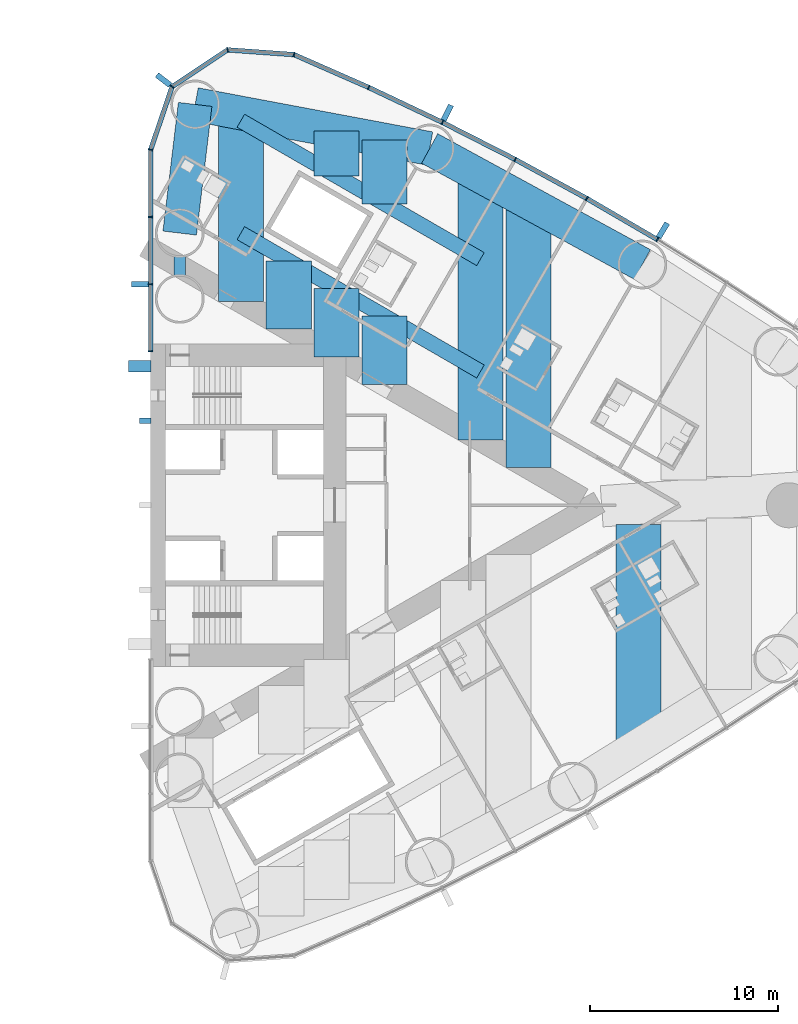
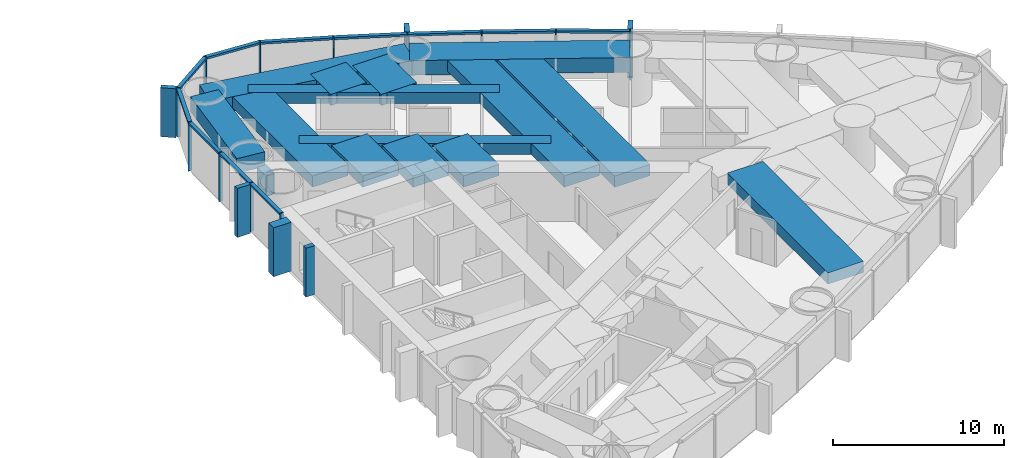
# One storey, part 7 of 18: 29 members, 15 beams, 1 element without a shape of its own.
"""IFC4 building model written with IfcOpenShell, lengths in metres."""

from ifc_helpers import new_model, si_unit, direction, frame, origin, origin_2d, place, context, subcontext, project, spatial, rectangle, hollow_rectangle, extrude, material, material_profile, profile_set, type_object, element, aggregate, save


model = new_model("IFC4")

# Units and contexts
model_context = context("Model", 3, precision=1e-05, world=origin(), true_north=direction((0.0, 1.0)))
body_context = subcontext(model_context, "Body", "Model", "MODEL_VIEW")
ifc_project = project(units=[si_unit("LENGTHUNIT", "METRE"), si_unit("AREAUNIT", "SQUARE_METRE"), si_unit("VOLUMEUNIT", "CUBIC_METRE"), si_unit("PLANEANGLEUNIT", "RADIAN"), si_unit("MASSUNIT", "GRAM", prefix="KILO")], contexts=[model_context])

# Site, building, storey
site_placement = place(None, origin())
site = spatial("IfcSite", under=ifc_project, at=site_placement, CompositionType="ELEMENT")
building_placement = place(site_placement, origin())
building = spatial("IfcBuilding", under=site, at=building_placement, Name="Lancet Gate Hotel", CompositionType="ELEMENT")
storey_placement = place(building_placement, frame((0.0, 0.0, 118.60009765625)))
storey = spatial("IfcBuildingStorey", under=building, at=storey_placement, Name="L31", CompositionType="ELEMENT", Elevation=118.60009765625)

# Curtain wall, members
ifc_material_1 = material(Name="Aluminium curtain wall", Category="aluminium")
curtain_wall_type = type_object("IfcCurtainWallType", Name="Tower unitised curtain wall", PredefinedType="USERDEFINED", material=ifc_material_1)
curtain_wall_placement = place(storey_placement, origin())
curtain_wall = element("IfcCurtainWall", 1, at=curtain_wall_placement, inside=storey, type_object=curtain_wall_type, Name="T2 L31 curtain wall 1", ObjectType="UNITISED CURTAIN WALL", PredefinedType="USERDEFINED")
ifc_material_2 = material(Name="Aluminium mullion", Category="aluminium")
ifc_material_profile_1 = material_profile(ifc_material_2, rectangle(XDim=0.06494140625, YDim=0.25, at=origin_2d()), Name="MULLION 65x250")
ifc_profile_set_1 = profile_set([ifc_material_profile_1], Name="Aluminium mullion")
member_type_1 = type_object("IfcMemberType", Name="Aluminium mullion 65x250", PredefinedType="MULLION", material=ifc_profile_set_1)
member_1_placement = place(storey_placement, frame((54.496337890625, 14.1552734375, 0.0), z_axis=(0.0, 0.0, 1.0), x_axis=(-0.856728030701, 0.515768437781, 0.0)))
member_1 = element("IfcMember", 2, at=member_1_placement, type_object=member_type_1, Name="T2 L31 curtain wall 1 mullion 23", PredefinedType="MULLION", context=body_context, shape_type="SweptSolid", body=[
    extrude(rectangle(XDim=0.06494140625, YDim=0.25, at=origin_2d()), origin(), (0.0, 0.0, 1.0), 3.5),
])
member_2_placement = place(storey_placement, frame((50.740478515625, 16.344482421875, 0.0), z_axis=(0.0, 0.0, 1.0), x_axis=(-0.871028838445, 0.491231882716, 0.0)))
member_2 = element("IfcMember", 3, at=member_2_placement, type_object=member_type_1, Name="T2 L31 curtain wall 1 mullion 24", PredefinedType="MULLION", context=body_context, shape_type="SweptSolid", body=[
    extrude(rectangle(XDim=0.06494140625, YDim=0.25, at=origin_2d()), origin(), (0.0, 0.0, 1.0), 3.5),
])
member_3_placement = place(storey_placement, frame((46.923828125, 18.426025390625, 0.0), z_axis=(0.0, 0.0, 1.0), x_axis=(-0.884627112962, 0.466299121822, 0.0)))
member_3 = element("IfcMember", 4, at=member_3_placement, type_object=member_type_1, Name="T2 L31 curtain wall 1 mullion 25", PredefinedType="MULLION", context=body_context, shape_type="SweptSolid", body=[
    extrude(rectangle(XDim=0.06494140625, YDim=0.25, at=origin_2d()), origin(), (0.0, 0.0, 1.0), 3.5),
])
member_4_placement = place(storey_placement, frame((43.0498046875, 20.398193359375, 0.0), z_axis=(0.0, 0.0, 1.0), x_axis=(-0.897511886496, 0.440990264743, 0.0)))
member_4 = element("IfcMember", 5, at=member_4_placement, type_object=member_type_1, Name="T2 L31 curtain wall 1 mullion 26", PredefinedType="MULLION", context=body_context, shape_type="SweptSolid", body=[
    extrude(rectangle(XDim=0.06494140625, YDim=0.25, at=origin_2d()), origin(), (0.0, 0.0, 1.0), 3.5),
])
member_5_placement = place(storey_placement, frame((39.12109375, 22.259765625, 0.0), z_axis=(0.0, 0.0, 1.0), x_axis=(-0.909672766767, 0.415325724465, 0.0)))
member_5 = element("IfcMember", 6, at=member_5_placement, type_object=member_type_1, Name="T2 L31 curtain wall 1 mullion 27", PredefinedType="MULLION", context=body_context, shape_type="SweptSolid", body=[
    extrude(rectangle(XDim=0.06494140625, YDim=0.25, at=origin_2d()), origin(), (0.0, 0.0, 1.0), 3.5),
])
member_6_placement = place(storey_placement, frame((35.141357421875, 24.009033203125, 0.0), z_axis=(0.0, 0.0, 1.0), x_axis=(-0.966317378791, 0.257353304711, 0.0)))
member_6 = element("IfcMember", 7, at=member_6_placement, type_object=member_type_1, Name="T2 L31 curtain wall 1 mullion 28", PredefinedType="MULLION", context=body_context, shape_type="SweptSolid", body=[
    extrude(rectangle(XDim=0.06494140625, YDim=0.25, at=origin_2d()), origin(), (0.0, 0.0, 1.0), 3.5),
])
member_7_placement = place(storey_placement, frame((31.60205078125, 24.26220703125, 0.0), z_axis=(0.0, 0.0, 1.0), x_axis=(-0.967157174963, -0.254179068604, 0.0)))
member_7 = element("IfcMember", 8, at=member_7_placement, type_object=member_type_1, Name="T2 L31 curtain wall 1 mullion 29", PredefinedType="MULLION", context=body_context, shape_type="SweptSolid", body=[
    extrude(rectangle(XDim=0.06494140625, YDim=0.25, at=origin_2d()), origin(), (0.0, 0.0, 1.0), 3.5),
])
member_8_placement = place(storey_placement, frame((28.64453125, 22.301513671875, 0.0), z_axis=(0.0, 0.0, 1.0), x_axis=(-0.610663954798, -0.79188984986, 0.0)))
member_8 = element("IfcMember", 9, at=member_8_placement, type_object=member_type_1, Name="T2 L31 curtain wall 1 mullion 30", PredefinedType="MULLION", context=body_context, shape_type="SweptSolid", body=[
    extrude(rectangle(XDim=0.06494140625, YDim=0.25, at=origin_2d()), origin(), (0.0, 0.0, 1.0), 3.5),
])
member_9_placement = place(storey_placement, frame((27.5, 18.94287109375, 0.0), z_axis=(0.0, 0.0, 1.0), x_axis=(-0.162738742557, -0.986669195663, 0.0)))
member_9 = element("IfcMember", 10, at=member_9_placement, type_object=member_type_1, Name="T2 L31 curtain wall 1 mullion 31", PredefinedType="MULLION", context=body_context, shape_type="SweptSolid", body=[
    extrude(rectangle(XDim=0.06494140625, YDim=0.25, at=origin_2d()), origin(), (0.0, 0.0, 1.0), 3.5),
])
member_10_placement = place(storey_placement, frame((27.5, 15.362060546875, 0.0), z_axis=(0.0, 0.0, 1.0), x_axis=(0.0, -1.0, 0.0)))
member_10 = element("IfcMember", 11, at=member_10_placement, type_object=member_type_1, Name="T2 L31 curtain wall 1 mullion 32", PredefinedType="MULLION", context=body_context, shape_type="SweptSolid", body=[
    extrude(rectangle(XDim=0.06494140625, YDim=0.25, at=origin_2d()), origin(), (0.0, 0.0, 1.0), 3.5),
])
member_11_placement = place(storey_placement, frame((27.5, 11.781005859375, 0.0), z_axis=(0.0, 0.0, 1.0), x_axis=(0.0, -1.0, 0.0)))
member_11 = element("IfcMember", 12, at=member_11_placement, type_object=member_type_1, Name="T2 L31 curtain wall 1 mullion 33", PredefinedType="MULLION", context=body_context, shape_type="SweptSolid", body=[
    extrude(rectangle(XDim=0.06494140625, YDim=0.25, at=origin_2d()), origin(), (0.0, 0.0, 1.0), 3.5),
])
member_12_placement = place(storey_placement, frame((27.5, 8.199951171875, 0.0), z_axis=(0.0, 0.0, 1.0), x_axis=(0.0, -1.0, 0.0)))
member_12 = element("IfcMember", 13, at=member_12_placement, type_object=member_type_1, Name="T2 L31 curtain wall 1 mullion 34", PredefinedType="MULLION", context=body_context, shape_type="SweptSolid", body=[
    extrude(rectangle(XDim=0.06494140625, YDim=0.25, at=origin_2d()), origin(), (0.0, 0.0, 1.0), 3.5),
])
ifc_material_3 = material(Name="Aluminium transom", Category="aluminium")
ifc_material_profile_2 = material_profile(ifc_material_3, rectangle(XDim=0.25, YDim=0.14990234375, at=origin_2d()), Name="TRANSOM 250x150")
ifc_profile_set_2 = profile_set([ifc_material_profile_2], Name="Aluminium transom")
member_type_2 = type_object("IfcMemberType", Name="Aluminium transom 250x150", PredefinedType="USERDEFINED", material=ifc_profile_set_2)
member_13_placement = place(storey_placement, frame((54.46826171875, 14.171630859375, 3.4248046875), z_axis=(-0.863973212152, 0.503537772847, 0.0), x_axis=(-0.503537772847, -0.863973212152, 0.0)))
member_13 = element("IfcMember", 14, at=member_13_placement, type_object=member_type_2, Name="T2 L31 curtain wall 1 transom 23", ObjectType="TRANSOM", PredefinedType="USERDEFINED", context=body_context, shape_type="SweptSolid", body=[
    extrude(rectangle(XDim=0.25, YDim=0.14990234375, at=origin_2d()), origin(), (0.0, 0.0, 1.0), 4.2822265625),
])
member_14_placement = place(storey_placement, frame((50.7119140625, 16.35986328125, 3.4248046875), z_axis=(-0.877906466435, 0.478832158685, 0.0), x_axis=(-0.478832158685, -0.877906466435, 0.0)))
member_14 = element("IfcMember", 15, at=member_14_placement, type_object=member_type_2, Name="T2 L31 curtain wall 1 transom 24", ObjectType="TRANSOM", PredefinedType="USERDEFINED", context=body_context, shape_type="SweptSolid", body=[
    extrude(rectangle(XDim=0.25, YDim=0.14990234375, at=origin_2d()), origin(), (0.0, 0.0, 1.0), 4.282470703125),
])
member_15_placement = place(storey_placement, frame((46.89501953125, 18.440673828125, 3.4248046875), z_axis=(-0.891165630033, 0.453678101574, 0.0), x_axis=(-0.453678101574, -0.891165630033, 0.0)))
member_15 = element("IfcMember", 16, at=member_15_placement, type_object=member_type_2, Name="T2 L31 curtain wall 1 transom 25", ObjectType="TRANSOM", PredefinedType="USERDEFINED", context=body_context, shape_type="SweptSolid", body=[
    extrude(rectangle(XDim=0.25, YDim=0.14990234375, at=origin_2d()), origin(), (0.0, 0.0, 1.0), 4.282470703125),
])
member_16_placement = place(storey_placement, frame((43.0205078125, 20.412109375, 3.4248046875), z_axis=(-0.903679787814, 0.428208875546, 0.0), x_axis=(-0.428208875546, -0.903679787814, 0.0)))
member_16 = element("IfcMember", 17, at=member_16_placement, type_object=member_type_2, Name="T2 L31 curtain wall 1 transom 26", ObjectType="TRANSOM", PredefinedType="USERDEFINED", context=body_context, shape_type="SweptSolid", body=[
    extrude(rectangle(XDim=0.25, YDim=0.14990234375, at=origin_2d()), origin(), (0.0, 0.0, 1.0), 4.282470703125),
])
member_17_placement = place(storey_placement, frame((39.09130859375, 22.27294921875, 3.4248046875), z_axis=(-0.915484772266, 0.402352621155, 0.0), x_axis=(-0.402352621155, -0.915484772266, 0.0)))
member_17 = element("IfcMember", 18, at=member_17_placement, type_object=member_type_2, Name="T2 L31 curtain wall 1 transom 27", ObjectType="TRANSOM", PredefinedType="USERDEFINED", context=body_context, shape_type="SweptSolid", body=[
    extrude(rectangle(XDim=0.25, YDim=0.14990234375, at=origin_2d()), origin(), (0.0, 0.0, 1.0), 4.281982421875),
])
member_18_placement = place(storey_placement, frame((35.10888671875, 24.01123046875, 3.4248046875), z_axis=(-0.997446232115, 0.071421383636, 0.0), x_axis=(-0.071421383636, -0.997446232115, 0.0)))
member_18 = element("IfcMember", 19, at=member_18_placement, type_object=member_type_2, Name="T2 L31 curtain wall 1 transom 28", ObjectType="TRANSOM", PredefinedType="USERDEFINED", context=body_context, shape_type="SweptSolid", body=[
    extrude(rectangle(XDim=0.25, YDim=0.14990234375, at=origin_2d()), origin(), (0.0, 0.0, 1.0), 3.483154296875),
])
member_19_placement = place(storey_placement, frame((31.574951171875, 24.244384765625, 3.4248046875), z_axis=(-0.833470854141, -0.552563421968, 0.0), x_axis=(0.552563421968, -0.833470854141, 0.0)))
member_19 = element("IfcMember", 20, at=member_19_placement, type_object=member_type_2, Name="T2 L31 curtain wall 1 transom 29", ObjectType="TRANSOM", PredefinedType="USERDEFINED", context=body_context, shape_type="SweptSolid", body=[
    extrude(rectangle(XDim=0.25, YDim=0.14990234375, at=origin_2d()), origin(), (0.0, 0.0, 1.0), 3.4833984375),
])
member_20_placement = place(storey_placement, frame((28.634033203125, 22.270751953125, 3.4248046875), z_axis=(-0.322549769135, -0.946552505903, 0.0), x_axis=(0.946552505903, -0.322549769135, 0.0)))
member_20 = element("IfcMember", 21, at=member_20_placement, type_object=member_type_2, Name="T2 L31 curtain wall 1 transom 30", ObjectType="TRANSOM", PredefinedType="USERDEFINED", context=body_context, shape_type="SweptSolid", body=[
    extrude(rectangle(XDim=0.25, YDim=0.14990234375, at=origin_2d()), origin(), (0.0, 0.0, 1.0), 3.4833984375),
])
member_21_placement = place(storey_placement, frame((27.5, 18.910400390625, 3.4248046875), z_axis=(0.0, -1.0, 0.0), x_axis=(1.0, 0.0, 0.0)))
member_21 = element("IfcMember", 22, at=member_21_placement, type_object=member_type_2, Name="T2 L31 curtain wall 1 transom 31", ObjectType="TRANSOM", PredefinedType="USERDEFINED", context=body_context, shape_type="SweptSolid", body=[
    extrude(rectangle(XDim=0.25, YDim=0.14990234375, at=origin_2d()), origin(), (0.0, 0.0, 1.0), 3.515869140625),
])
member_22_placement = place(storey_placement, frame((27.5, 15.329345703125, 3.4248046875), z_axis=(0.0, -1.0, 0.0), x_axis=(1.0, 0.0, 0.0)))
member_22 = element("IfcMember", 23, at=member_22_placement, type_object=member_type_2, Name="T2 L31 curtain wall 1 transom 32", ObjectType="TRANSOM", PredefinedType="USERDEFINED", context=body_context, shape_type="SweptSolid", body=[
    extrude(rectangle(XDim=0.25, YDim=0.14990234375, at=origin_2d()), origin(), (0.0, 0.0, 1.0), 3.515869140625),
])
member_23_placement = place(storey_placement, frame((27.5, 11.74853515625, 3.4248046875), z_axis=(0.0, -1.0, 0.0), x_axis=(1.0, 0.0, 0.0)))
member_23 = element("IfcMember", 24, at=member_23_placement, type_object=member_type_2, Name="T2 L31 curtain wall 1 transom 33", ObjectType="TRANSOM", PredefinedType="USERDEFINED", context=body_context, shape_type="SweptSolid", body=[
    extrude(rectangle(XDim=0.25, YDim=0.14990234375, at=origin_2d()), origin(), (0.0, 0.0, 1.0), 3.51611328125),
])

# Beams
ifc_material_4 = material(Name="Concrete C50/60", Category="concrete")
ifc_material_profile_3 = material_profile(ifc_material_4, rectangle(XDim=1.800048828125, YDim=1.050048828125, at=origin_2d()), Name="RC 1800x1050")
ifc_profile_set_3 = profile_set([ifc_material_profile_3], Name="Concrete C50/60")
beam_type_1 = type_object("IfcBeamType", Name="Edge beam RC 1800x1050", PredefinedType="SPANDREL", material=ifc_profile_set_3)
beam_1_placement = place(storey_placement, frame((53.697021484375, 12.827392578125, 2.724853515625), z_axis=(-0.87792015078, 0.478807068509, 0.0), x_axis=(-0.478807068509, -0.87792015078, 0.0)))
element("IfcBeam", 25, at=beam_1_placement, inside=storey, type_object=beam_type_1, Name="T2 edge beam EB1 L31", PredefinedType="SPANDREL", context=body_context, shape_type="SweptSolid", body=[
    extrude(rectangle(XDim=1.800048828125, YDim=1.050048828125, at=origin_2d()), origin(), (0.0, 0.0, 1.0), 12.906494140625),
])
beam_2_placement = place(storey_placement, frame((42.3662109375, 19.007080078125, 2.724853515625), z_axis=(-0.982797318081, 0.184687388776, 0.0), x_axis=(-0.184687388776, -0.982797318081, 0.0)))
element("IfcBeam", 26, at=beam_2_placement, inside=storey, type_object=beam_type_1, Name="T2 edge beam EB1 L31", PredefinedType="SPANDREL", context=body_context, shape_type="SweptSolid", body=[
    extrude(rectangle(XDim=1.800048828125, YDim=1.050048828125, at=origin_2d()), origin(), (0.0, 0.0, 1.0), 12.712890625),
])
beam_3_placement = place(storey_placement, frame((29.050048828125, 14.5, 2.724853515625), z_axis=(0.119062951196, 0.99288670736, 0.0), x_axis=(-0.99288670736, 0.119062951196, 0.0)))
element("IfcBeam", 27, at=beam_3_placement, inside=storey, type_object=beam_type_1, Name="T2 edge beam EB1 L31", PredefinedType="SPANDREL", context=body_context, shape_type="SweptSolid", body=[
    extrude(rectangle(XDim=1.800048828125, YDim=1.050048828125, at=origin_2d()), origin(), (0.0, 0.0, 1.0), 6.904052734375),
])

# Member
ifc_material_5 = material(Name="Concrete C60/75", Category="concrete")
ifc_material_profile_4 = material_profile(ifc_material_5, rectangle(XDim=0.60009765625, YDim=1.199951171875, at=origin_2d()), Name="FIN 600x1200")
ifc_profile_set_4 = profile_set([ifc_material_profile_4], Name="Concrete C60/75")
member_type_3 = type_object("IfcMemberType", Name="Exposed concrete buttress pilaster 600x1200", PredefinedType="USERDEFINED", material=ifc_profile_set_4)
member_24_placement = place(storey_placement, frame((26.909912109375, 7.39990234375, 0.0), z_axis=(0.0, 0.0, 1.0), x_axis=(0.0, 1.0, 0.0)))
element("IfcMember", 28, at=member_24_placement, inside=storey, type_object=member_type_3, Name="T2 buttress pilaster N L31", ObjectType="FIN", PredefinedType="USERDEFINED", context=body_context, shape_type="SweptSolid", body=[
    extrude(rectangle(XDim=0.60009765625, YDim=1.199951171875, at=origin_2d()), origin(), (0.0, 0.0, 1.0), 3.5),
])

ifc_material_6 = material(Name="Precast concrete C50/60", Category="concrete")
ifc_material_profile_5 = material_profile(ifc_material_6, rectangle(XDim=0.300048828125, YDim=0.89990234375, at=origin_2d()), Name="FIN 300x900")
ifc_profile_set_5 = profile_set([ifc_material_profile_5], Name="Precast concrete C50/60")
member_type_4 = type_object("IfcMemberType", Name="Exposed concrete fin 300x900", PredefinedType="USERDEFINED", material=ifc_profile_set_5)
member_25_placement = place(storey_placement, frame((54.79296875, 14.64794921875, 0.0), z_axis=(0.0, 0.0, 1.0), x_axis=(-0.856728030701, 0.515768437781, 0.0)))
member_25 = element("IfcMember", 29, at=member_25_placement, type_object=member_type_4, Name="T2 L31 curtain wall 1 fin 23", ObjectType="FIN", PredefinedType="USERDEFINED", context=body_context, shape_type="SweptSolid", body=[
    extrude(rectangle(XDim=0.300048828125, YDim=0.89990234375, at=origin_2d()), origin(), (0.0, 0.0, 1.0), 3.5),
])

member_26_placement = place(storey_placement, frame((43.30322265625, 20.914306640625, 0.0), z_axis=(0.0, 0.0, 1.0), x_axis=(-0.897511886496, 0.440990264743, 0.0)))
member_26 = element("IfcMember", 30, at=member_26_placement, type_object=member_type_4, Name="T2 L31 curtain wall 1 fin 26", ObjectType="FIN", PredefinedType="USERDEFINED", context=body_context, shape_type="SweptSolid", body=[
    extrude(rectangle(XDim=0.300048828125, YDim=0.89990234375, at=origin_2d()), origin(), (0.0, 0.0, 1.0), 3.5),
])

member_27_placement = place(storey_placement, frame((28.189208984375, 22.65283203125, 0.0), z_axis=(0.0, 0.0, 1.0), x_axis=(-0.610663954798, -0.79188984986, 0.0)))
member_27 = element("IfcMember", 31, at=member_27_placement, type_object=member_type_4, Name="T2 L31 curtain wall 1 fin 30", ObjectType="FIN", PredefinedType="USERDEFINED", context=body_context, shape_type="SweptSolid", body=[
    extrude(rectangle(XDim=0.300048828125, YDim=0.89990234375, at=origin_2d()), origin(), (0.0, 0.0, 1.0), 3.5),
])

member_28_placement = place(storey_placement, frame((26.925048828125, 11.781005859375, 0.0), z_axis=(0.0, 0.0, 1.0), x_axis=(0.0, -1.0, 0.0)))
member_28 = element("IfcMember", 32, at=member_28_placement, type_object=member_type_4, Name="T2 L31 curtain wall 1 fin 33", ObjectType="FIN", PredefinedType="USERDEFINED", context=body_context, shape_type="SweptSolid", body=[
    extrude(rectangle(XDim=0.300048828125, YDim=0.89990234375, at=origin_2d()), origin(), (0.0, 0.0, 1.0), 3.5),
])

aggregate(curtain_wall, [member_1, member_25, member_2, member_3, member_4, member_26, member_5, member_6, member_7, member_8, member_27, member_9, member_10, member_11, member_28, member_12, member_13, member_14, member_15, member_16, member_17, member_18, member_19, member_20, member_21, member_22, member_23])

ifc_material_7 = material(Name="Concrete C60/75", Category="concrete")
ifc_material_profile_6 = material_profile(ifc_material_7, rectangle(XDim=0.300048828125, YDim=0.60009765625, at=origin_2d()), Name="FIN 300x600")
ifc_profile_set_6 = profile_set([ifc_material_profile_6], Name="Concrete C60/75")
member_type_5 = type_object("IfcMemberType", Name="Exposed concrete rib 300x600", PredefinedType="USERDEFINED", material=ifc_profile_set_6)
member_29_placement = place(storey_placement, frame((27.2099609375, 4.5, 0.0), z_axis=(0.0, 0.0, 1.0), x_axis=(0.0, 1.0, 0.0)))
element("IfcMember", 33, at=member_29_placement, inside=storey, type_object=member_type_5, Name="T2 core rib 3 L31", ObjectType="FIN", PredefinedType="USERDEFINED", context=body_context, shape_type="SweptSolid", body=[
    extrude(rectangle(XDim=0.300048828125, YDim=0.60009765625, at=origin_2d()), origin(), (0.0, 0.0, 1.0), 3.5),
])

# Beams
ifc_material_8 = material(Name="Concrete C50/60", Category="concrete")
ifc_material_profile_7 = material_profile(ifc_material_8, rectangle(XDim=2.39990234375, YDim=0.800048828125, at=origin_2d()), Name="RC 2400x800")
ifc_profile_set_7 = profile_set([ifc_material_profile_7], Name="Concrete C50/60")
beam_type_2 = type_object("IfcBeamType", Name="Floor beam RC 2400x800", PredefinedType="BEAM", material=ifc_profile_set_7)
beam_4_placement = place(storey_placement, frame((32.306396484375, 10.851806640625, 2.849853515625), z_axis=(0.0, 1.0, 0.0), x_axis=(-1.0, 0.0, 0.0)))
element("IfcBeam", 34, at=beam_4_placement, inside=storey, type_object=beam_type_2, Name="T2 floor beam F02N L31", PredefinedType="BEAM", context=body_context, shape_type="SweptSolid", body=[
    extrude(rectangle(XDim=2.39990234375, YDim=0.800048828125, at=origin_2d()), origin(), (0.0, 0.0, 1.0), 10.0458984375),
])
beam_5_placement = place(storey_placement, frame((45.072265625, 3.4814453125, 2.849853515625), z_axis=(0.0, 1.0, 0.0), x_axis=(-1.0, 0.0, 0.0)))
element("IfcBeam", 35, at=beam_5_placement, inside=storey, type_object=beam_type_2, Name="T2 floor beam F10N L31", PredefinedType="BEAM", context=body_context, shape_type="SweptSolid", body=[
    extrude(rectangle(XDim=2.39990234375, YDim=0.800048828125, at=origin_2d()), origin(), (0.0, 0.0, 1.0), 14.0498046875),
])
beam_6_placement = place(storey_placement, frame((47.62548828125, 2.00732421875, 2.849853515625), z_axis=(0.0, 1.0, 0.0), x_axis=(-1.0, 0.0, 0.0)))
element("IfcBeam", 36, at=beam_6_placement, inside=storey, type_object=beam_type_2, Name="T2 floor beam F12N L31", PredefinedType="BEAM", context=body_context, shape_type="SweptSolid", body=[
    extrude(rectangle(XDim=2.39990234375, YDim=0.800048828125, at=origin_2d()), origin(), (0.0, 0.0, 1.0), 14.13134765625),
])
beam_7_placement = place(storey_placement, frame((53.502197265625, -12.804443359375, 2.849853515625), z_axis=(0.0, 1.0, 0.0), x_axis=(-1.0, 0.0, 0.0)))
element("IfcBeam", 37, at=beam_7_placement, inside=storey, type_object=beam_type_2, Name="T2 floor beam F13S L31", PredefinedType="BEAM", context=body_context, shape_type="SweptSolid", body=[
    extrude(rectangle(XDim=2.39990234375, YDim=0.800048828125, at=origin_2d()), origin(), (0.0, 0.0, 1.0), 11.78564453125),
])
beam_8_placement = place(storey_placement, frame((34.859619140625, 9.377685546875, 2.849853515625), z_axis=(0.0, 1.0, 0.0), x_axis=(-1.0, 0.0, 0.0)))
element("IfcBeam", 38, at=beam_8_placement, inside=storey, type_object=beam_type_2, Name="T2 floor beam F04NA L31", PredefinedType="BEAM", context=body_context, shape_type="SweptSolid", body=[
    extrude(rectangle(XDim=2.39990234375, YDim=0.800048828125, at=origin_2d()), origin(), (0.0, 0.0, 1.0), 3.645751953125),
])
beam_9_placement = place(storey_placement, frame((37.412841796875, 7.903564453125, 2.849853515625), z_axis=(0.0, 1.0, 0.0), x_axis=(-1.0, 0.0, 0.0)))
element("IfcBeam", 39, at=beam_9_placement, inside=storey, type_object=beam_type_2, Name="T2 floor beam F06NA L31", PredefinedType="BEAM", context=body_context, shape_type="SweptSolid", body=[
    extrude(rectangle(XDim=2.39990234375, YDim=0.800048828125, at=origin_2d()), origin(), (0.0, 0.0, 1.0), 3.6455078125),
])
beam_10_placement = place(storey_placement, frame((37.412841796875, 17.537109375, 2.849853515625), z_axis=(0.0, 1.0, 0.0), x_axis=(-1.0, 0.0, 0.0)))
element("IfcBeam", 40, at=beam_10_placement, inside=storey, type_object=beam_type_2, Name="T2 floor beam F06NB L31", PredefinedType="BEAM", context=body_context, shape_type="SweptSolid", body=[
    extrude(rectangle(XDim=2.39990234375, YDim=0.800048828125, at=origin_2d()), origin(), (0.0, 0.0, 1.0), 2.40087890625),
])
beam_11_placement = place(storey_placement, frame((39.9658203125, 6.429443359375, 2.849853515625), z_axis=(0.0, 1.0, 0.0), x_axis=(-1.0, 0.0, 0.0)))
element("IfcBeam", 41, at=beam_11_placement, inside=storey, type_object=beam_type_2, Name="T2 floor beam F08NA L31", PredefinedType="BEAM", context=body_context, shape_type="SweptSolid", body=[
    extrude(rectangle(XDim=2.39990234375, YDim=0.800048828125, at=origin_2d()), origin(), (0.0, 0.0, 1.0), 3.64501953125),
])
beam_12_placement = place(storey_placement, frame((39.9658203125, 16.062744140625, 2.849853515625), z_axis=(0.0, 1.0, 0.0), x_axis=(-1.0, 0.0, 0.0)))
element("IfcBeam", 42, at=beam_12_placement, inside=storey, type_object=beam_type_2, Name="T2 floor beam F08NB L31", PredefinedType="BEAM", context=body_context, shape_type="SweptSolid", body=[
    extrude(rectangle(XDim=2.39990234375, YDim=0.800048828125, at=origin_2d()), origin(), (0.0, 0.0, 1.0), 3.3955078125),
])
ifc_material_9 = material(Name="Steel S460QL", Category="steel")
ifc_material_profile_8 = material_profile(ifc_material_9, hollow_rectangle(XDim=0.60009765625, YDim=1.5, WallThickness=0.050048828125, at=origin_2d()), Name="BOX 1500x600x50")
ifc_profile_set_8 = profile_set([ifc_material_profile_8], Name="Steel S460QL")
beam_type_3 = type_object("IfcBeamType", Name="Inner-face link beam BOX 1500x600x50", PredefinedType="BEAM", material=ifc_profile_set_8)
beam_13_placement = place(storey_placement, frame((29.050048828125, 12.25, 2.5), z_axis=(0.0, 1.0, 0.0), x_axis=(-1.0, 0.0, 0.0)))
element("IfcBeam", 43, at=beam_13_placement, inside=storey, type_object=beam_type_3, Name="T2 inner-face link beam LK1 L31", PredefinedType="BEAM", context=body_context, shape_type="SweptSolid", body=[
    extrude(hollow_rectangle(XDim=0.60009765625, YDim=1.5, WallThickness=0.050048828125, at=origin_2d()), origin(), (0.0, 0.0, 1.0), 1.0),
])
ifc_material_10 = material(Name="Steel S460QL", Category="steel")
ifc_material_profile_9 = material_profile(ifc_material_10, hollow_rectangle(XDim=0.800048828125, YDim=0.800048828125, WallThickness=0.080078125, at=origin_2d()), Name="BOX 800x800x80")
ifc_profile_set_9 = profile_set([ifc_material_profile_9], Name="Steel S460QL")
beam_type_4 = type_object("IfcBeamType", Name="Trimmer beam BOX 800x800x80", PredefinedType="BEAM", material=ifc_profile_set_9)
beam_14_placement = place(storey_placement, frame((32.306396484375, 20.48583984375, 2.849853515625), z_axis=(0.86598286195, -0.500073677381, 0.0), x_axis=(0.500073677381, 0.86598286195, 0.0)))
element("IfcBeam", 44, at=beam_14_placement, inside=storey, type_object=beam_type_4, Name="T2 trimmer beam TR03N L31", PredefinedType="BEAM", context=body_context, shape_type="SweptSolid", body=[
    extrude(hollow_rectangle(XDim=0.800048828125, YDim=0.800048828125, WallThickness=0.080078125, at=origin_2d()), origin(), (0.0, 0.0, 1.0), 14.741455078125),
])
beam_15_placement = place(storey_placement, frame((32.306396484375, 14.497802734375, 2.849853515625), z_axis=(0.865975689888, -0.500086097111, 0.0), x_axis=(0.500086097111, 0.865975689888, 0.0)))
element("IfcBeam", 45, at=beam_15_placement, inside=storey, type_object=beam_type_4, Name="T2 trimmer beam TR04N L31", PredefinedType="BEAM", context=body_context, shape_type="SweptSolid", body=[
    extrude(hollow_rectangle(XDim=0.800048828125, YDim=0.800048828125, WallThickness=0.080078125, at=origin_2d()), origin(), (0.0, 0.0, 1.0), 14.74169921875),
])

save(model, "model.ifc")
